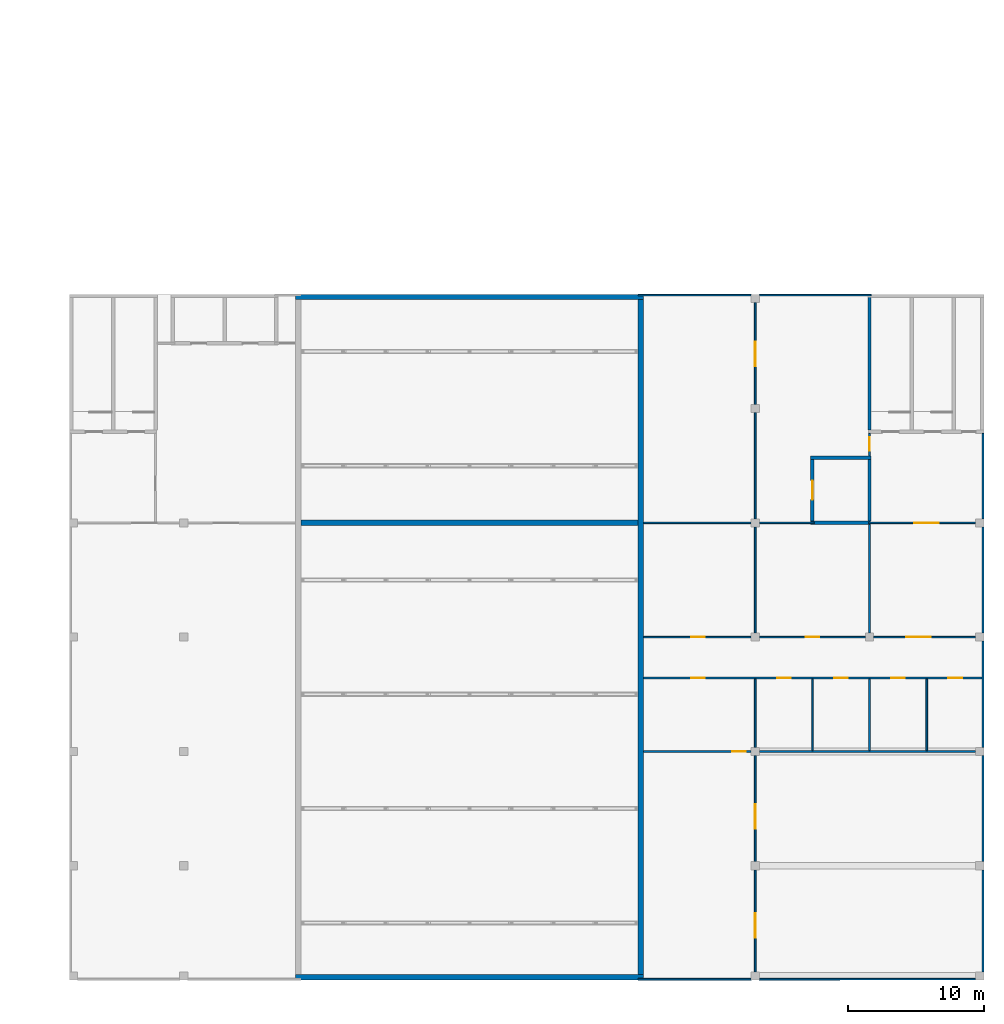
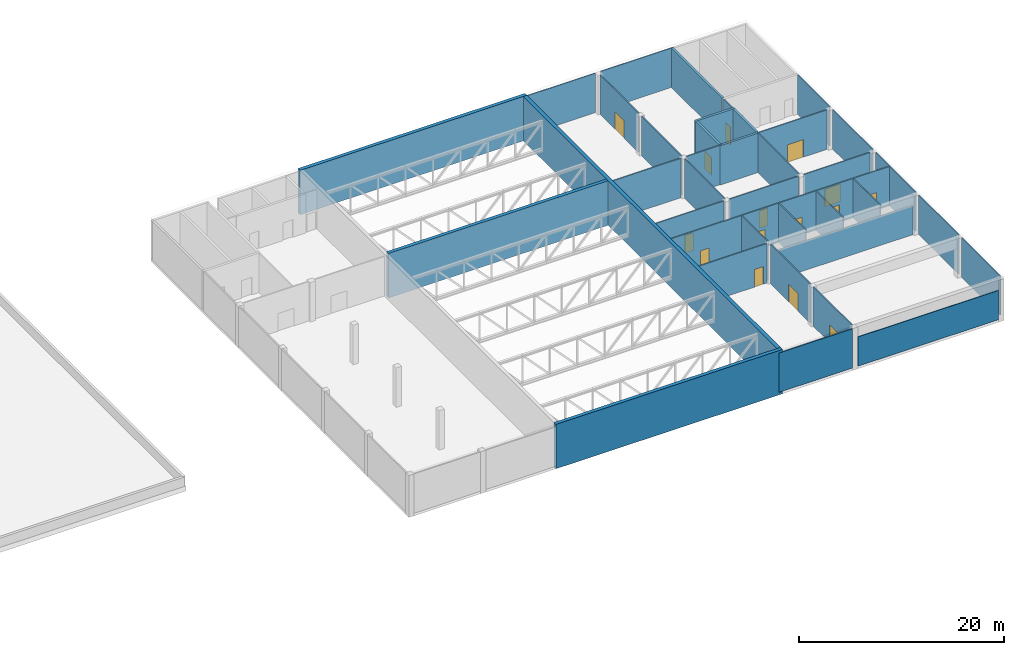
# One storey, part 19 of 26: 38 walls, 15 doors, 15 openings.
"""IFC4 building model written with IfcOpenShell, lengths in metres."""

import ifcopenshell
import ifcopenshell.guid

model = None  # the IFC model being written
_history = None  # IfcOwnerHistory: only IFC2X3 demands one
_inside = {}  # id of a spatial element -> (the spatial element, [elements in it])
_under = {}  # id of a project, library or spatial element -> (it, [spatial elements below it])
_declared = {}  # id of a project -> (the project, [libraries it declares])
_typed = {}  # id of a type object -> (the type object, [elements of that type])
_made_of = {}  # id of a material, layer set ... -> (it, [elements and type objects made of it])


def new_model(schema):
    """Start an empty IFC model of exactly this schema.

    Asked for "IFC4X3", IfcOpenShell would pick the latest addendum, in which some entities
    have other attributes; the version numbers below select the first issue.
    IFC2X3 requires an IfcOwnerHistory on every rooted entity: one is made here for all.
    """
    global model, _history
    if schema == "IFC4X3":
        model = ifcopenshell.file(schema_version=(4, 3, 0, 0))
    else:
        model = ifcopenshell.file(schema=schema)
    _inside.clear()
    _under.clear()
    _declared.clear()
    _typed.clear()
    _made_of.clear()
    _history = None
    if model.schema == "IFC2X3":
        org = make("IfcOrganization", Name="unknown")
        user = make(
            "IfcPersonAndOrganization",
            ThePerson=make("IfcPerson", FamilyName="unknown"),
            TheOrganization=org,
        )
        app = make(
            "IfcApplication",
            ApplicationDeveloper=org,
            Version="unknown",
            ApplicationFullName="unknown",
            ApplicationIdentifier="unknown",
        )
        _history = make(
            "IfcOwnerHistory",
            OwningUser=user,
            OwningApplication=app,
            ChangeAction="ADDED",
            CreationDate=0,
        )
    return model


def make(cls, **values):
    """One entity of the class cls with the attributes given. An attribute that is None is left unset."""
    return model.create_entity(
        cls, **{name: value for name, value in values.items() if value is not None}
    )


def rooted(cls, **values):
    """An entity with a GlobalId (a new one), such as an element, a storey or a relation."""
    return make(cls, GlobalId=ifcopenshell.guid.new(), OwnerHistory=_history, **values)


def si_unit(unit_type, name, prefix=None):
    """IfcSIUnit, for example si_unit("LENGTHUNIT", "METRE", prefix="MILLI")."""
    return make("IfcSIUnit", UnitType=unit_type, Prefix=prefix, Name=name)


def assignment(units):
    """IfcUnitAssignment: the units of a project."""
    return None if units is None else make("IfcUnitAssignment", Units=units)


def point(xyz):
    """IfcCartesianPoint."""
    return None if xyz is None else make("IfcCartesianPoint", Coordinates=xyz)


def direction(xyz):
    """IfcDirection."""
    return None if xyz is None else make("IfcDirection", DirectionRatios=xyz)


def frame(location, z_axis=None, x_axis=None):
    """IfcAxis2Placement3D, a coordinate frame: its origin and axes. An axis left out is left unset."""
    return make(
        "IfcAxis2Placement3D",
        Location=point(location),
        Axis=direction(z_axis),
        RefDirection=direction(x_axis),
    )


def frame_2d(location, x_axis=None):
    """IfcAxis2Placement2D, a coordinate frame in the plane: its origin and x axis."""
    return make(
        "IfcAxis2Placement2D", Location=point(location), RefDirection=direction(x_axis)
    )


def origin():
    """The frame at (0, 0, 0) with its axes left unset."""
    return frame((0.0, 0.0, 0.0))


def place(relative_to, where):
    """IfcLocalPlacement: puts the frame where relative to a parent placement (None: the world)."""
    return make(
        "IfcLocalPlacement", PlacementRelTo=relative_to, RelativePlacement=where
    )


def context(
    kind, dimensions, precision=None, world=None, true_north=None, identifier=None
):
    """IfcGeometricRepresentationContext, for example the 3D "Model" context."""
    return make(
        "IfcGeometricRepresentationContext",
        ContextIdentifier=identifier,
        ContextType=kind,
        CoordinateSpaceDimension=dimensions,
        Precision=precision,
        WorldCoordinateSystem=world,
        TrueNorth=true_north,
    )


def subcontext(parent, identifier, kind, view, scale=None):
    """IfcGeometricRepresentationSubContext, for example "Body" below "Model"."""
    return make(
        "IfcGeometricRepresentationSubContext",
        ContextIdentifier=identifier,
        ContextType=kind,
        ParentContext=parent,
        TargetScale=scale,
        TargetView=view,
    )


def project(units=None, contexts=None):
    """IfcProject with its units and contexts."""
    return rooted(
        "IfcProject",
        Name="project",
        RepresentationContexts=contexts,
        UnitsInContext=assignment(units),
    )


def spatial(cls, under=None, at=None, **own):
    """A site, building, storey or space (cls), placed at a placement, below another one or the project."""
    s = rooted(cls, ObjectPlacement=at, **own)
    if under is not None:
        _under.setdefault(under.id(), (under, []))[1].append(s)
    return s


def profile(cls, at=None, kind="AREA", **sizes):
    """A parametric profile (cls). Its sizes go by their IFC names, for example OverallWidth=200.0."""
    return make(cls, ProfileType=kind, Position=at, **sizes)


def rectangle(**sizes):
    """IfcRectangleProfileDef."""
    return profile("IfcRectangleProfileDef", **sizes)


def extrude(swept, where, along, depth):
    """IfcExtrudedAreaSolid: the profile swept, set in the frame where, extruded along a direction by depth."""
    return make(
        "IfcExtrudedAreaSolid",
        SweptArea=swept,
        Position=where,
        ExtrudedDirection=direction(along),
        Depth=depth,
    )


def shape(context_of_items, identifier, shape_type, items):
    """IfcShapeRepresentation: the items that make up one representation, for example the "Body"."""
    return make(
        "IfcShapeRepresentation",
        ContextOfItems=context_of_items,
        RepresentationIdentifier=identifier,
        RepresentationType=shape_type,
        Items=items,
    )


def material(Name=None, Category=None):
    """IfcMaterial."""
    return make("IfcMaterial", Name=Name, Category=Category)


def layer(
    of_material, thickness, ventilated=None, Name=None, Category=None, Priority=None
):
    """IfcMaterialLayer: one layer of a wall or slab, of a material (None: an air gap)."""
    return make(
        "IfcMaterialLayer",
        Material=of_material,
        LayerThickness=thickness,
        IsVentilated=ventilated,
        Name=Name,
        Category=Category,
        Priority=Priority,
    )


def layer_set(layers, Name=None):
    """IfcMaterialLayerSet."""
    return make("IfcMaterialLayerSet", MaterialLayers=layers, LayerSetName=Name)


def made_of(thing, what):
    """Note that an element or type object is made of a material, layer set ...; save() writes the relation."""
    if what is not None:
        _made_of.setdefault(what.id(), (what, []))[1].append(thing)
    return thing


def type_object(cls, material=None, **own):
    """A type object (cls), such as IfcWallType, which elements share."""
    return made_of(rooted(cls, **own), material)


def element(
    cls,
    number,
    at=None,
    inside=None,
    cuts=None,
    type_object=None,
    material=None,
    context=None,
    identifier="Body",
    shape_type=None,
    held_by="IfcProductDefinitionShape",
    body=None,
    shapes=None,
    **own,
):
    """One element of the class cls, such as IfcWall. Its Tag is "e" and its number.

    at: its placement. inside: the storey or other place that contains it. cuts: it is an
    opening in that element (IfcRelVoidsElement). A single representation is given by context,
    identifier, shape_type and body (its items); several are given by shapes. held_by: the class
    of the entity that holds the representations. save() writes the other relations.
    """
    e = rooted(cls, Tag="e%d" % number, ObjectPlacement=at, **own)
    if body is not None:
        shapes = [shape(context, identifier, shape_type, body)]
    if shapes is not None:
        e.Representation = make(held_by, Representations=shapes)
    if inside is not None:
        _inside.setdefault(inside.id(), (inside, []))[1].append(e)
    if cuts is not None:
        rooted(
            "IfcRelVoidsElement", RelatingBuildingElement=cuts, RelatedOpeningElement=e
        )
    if type_object is not None:
        _typed.setdefault(type_object.id(), (type_object, []))[1].append(e)
    return made_of(e, material)


def fill(opening, filler):
    """IfcRelFillsElement: the door or window that sits in an opening."""
    return rooted(
        "IfcRelFillsElement",
        RelatingOpeningElement=opening,
        RelatedBuildingElement=filler,
    )


def aggregate(whole, parts):
    """IfcRelAggregates: a whole, such as a stair, and the parts it consists of."""
    return rooted("IfcRelAggregates", RelatingObject=whole, RelatedObjects=parts)


def save(model, path):
    """Write the relations noted so far, then the file.

    IfcRelAggregates (storeys below a building ...), IfcRelContainedInSpatialStructure (elements
    in a storey), IfcRelDefinesByType, IfcRelAssociatesMaterial and IfcRelDeclares: one each for
    every whole, place, type object, material and project.
    """
    for whole, parts in _under.values():
        aggregate(whole, parts)
    for where, things in _inside.values():
        rooted(
            "IfcRelContainedInSpatialStructure",
            RelatedElements=things,
            RelatingStructure=where,
        )
    for kind, things in _typed.values():
        rooted("IfcRelDefinesByType", RelatedObjects=things, RelatingType=kind)
    for what, things in _made_of.values():
        rooted("IfcRelAssociatesMaterial", RelatedObjects=things, RelatingMaterial=what)
    for by, libraries in _declared.values():
        rooted("IfcRelDeclares", RelatingContext=by, RelatedDefinitions=libraries)
    model.write(path)


model = new_model("IFC4")

# Units and contexts
model_context = context("Model", 3, precision=1e-05, world=origin(), true_north=direction((0.0, 1.0)))
body_context = subcontext(model_context, "Body", "Model", "MODEL_VIEW")
ifc_project = project(units=[si_unit("LENGTHUNIT", "METRE"), si_unit("AREAUNIT", "SQUARE_METRE"), si_unit("VOLUMEUNIT", "CUBIC_METRE"), si_unit("PLANEANGLEUNIT", "RADIAN"), si_unit("MASSUNIT", "GRAM", prefix="KILO")], contexts=[model_context])

# Site, building, storey
site_placement = place(None, origin())
site = spatial("IfcSite", under=ifc_project, at=site_placement, CompositionType="ELEMENT")
building_placement = place(site_placement, origin())
building = spatial("IfcBuilding", under=site, at=building_placement, Name="Candeia Pilgrim Tower and Theatre", CompositionType="ELEMENT")
storey_placement = place(building_placement, frame((0.0, 0.0, 34.0)))
storey = spatial("IfcBuildingStorey", under=building, at=storey_placement, Name="L05", CompositionType="ELEMENT", Elevation=34.0)

# Walls
ifc_material_1 = material(Name="Gypsum board on steel studs", Category="steel")
ifc_layer_1 = layer(ifc_material_1, 0.125)
ifc_layer_set_1 = layer_set([ifc_layer_1], Name="Partition 125")
wall_type_1 = type_object("IfcWallType", Name="Partition 125", PredefinedType="PARTITIONING", material=ifc_layer_set_1)
wall_1_placement = place(storey_placement, frame((217.800048828125, 66.0625, 0.0), z_axis=(0.0, 0.0, 1.0), x_axis=(1.0, 0.0, 0.0)))
element("IfcWall", 1, at=wall_1_placement, inside=storey, type_object=wall_type_1, Name="T-L05-W003", PredefinedType="PARTITIONING", context=body_context, shape_type="SweptSolid", body=[
    extrude(rectangle(XDim=8.300048828125, YDim=0.125, at=frame_2d((4.14990234375, 0.0))), origin(), (0.0, 0.0, 1.0), 4.699951171875),
])
wall_2_placement = place(storey_placement, frame((226.699951171875, 66.0625, 0.0), z_axis=(0.0, 0.0, 1.0), x_axis=(1.0, 0.0, 0.0)))
element("IfcWall", 2, at=wall_2_placement, inside=storey, type_object=wall_type_1, Name="T-L05-W004", PredefinedType="PARTITIONING", context=body_context, shape_type="SweptSolid", body=[
    extrude(rectangle(XDim=15.900146484375, YDim=0.125, at=frame_2d((7.9501953125, 0.0))), origin(), (0.0, 0.0, 1.0), 3.5),
])

# Wall, opening, door
wall_3_placement = place(storey_placement, frame((218.199951171875, 82.800048828125, 0.0), z_axis=(0.0, 0.0, 1.0), x_axis=(1.0, 0.0, 0.0)))
wall_3 = element("IfcWall", 3, at=wall_3_placement, inside=storey, type_object=wall_type_1, Name="T-L05-W006", PredefinedType="PARTITIONING", context=body_context, shape_type="SweptSolid", body=[
    extrude(rectangle(XDim=7.900146484375, YDim=0.125, at=frame_2d((3.9501953125, 0.0))), origin(), (0.0, 0.0, 1.0), 4.699951171875),
])
opening_1_placement = place(wall_3_placement, frame((6.5, 0.0, 0.0)))
opening_1 = element("IfcOpeningElement", 4, at=opening_1_placement, cuts=wall_3, Name="Opening TD-L05-016", PredefinedType="OPENING", context=body_context, shape_type="SweptSolid", body=[
    extrude(rectangle(XDim=1.0, YDim=2.10009765625, at=frame_2d((0.5, 1.050048828125))), frame((0.0, 0.072509765625, 0.0), z_axis=(0.0, -1.0, 0.0), x_axis=(1.0, 0.0, 0.0)), (0.0, 0.0, 1.0), 0.14501953125),
])
ifc_material_2 = material(Name="Timber door leaf", Category="wood")
door_type_1 = type_object("IfcDoorType", Name="Door single 1000x2100", OperationType="NOTDEFINED", PredefinedType="DOOR", material=ifc_material_2)
door_1_placement = place(opening_1_placement, origin())
door_1 = element("IfcDoor", 5, at=door_1_placement, inside=storey, type_object=door_type_1, Name="Door TD-L05-016", OperationType="SINGLE_SWING_RIGHT", OverallHeight=2.10009765625, OverallWidth=1.0, PredefinedType="DOOR", context=body_context, shape_type="SweptSolid", body=[
    extrude(rectangle(XDim=1.0, YDim=2.10009765625, at=frame_2d((0.5, 1.050048828125))), frame((0.0, 0.02490234375, 0.0), z_axis=(0.0, -1.0, 0.0), x_axis=(1.0, 0.0, 0.0)), (0.0, 0.0, 1.0), 0.050048828125),
])
fill(opening_1, door_1)

# Wall
wall_4_placement = place(storey_placement, frame((226.699951171875, 82.800048828125, 0.0), z_axis=(0.0, 0.0, 1.0), x_axis=(1.0, 0.0, 0.0)))
element("IfcWall", 6, at=wall_4_placement, inside=storey, type_object=wall_type_1, Name="T-L05-W007", PredefinedType="PARTITIONING", context=body_context, shape_type="SweptSolid", body=[
    extrude(rectangle(XDim=15.900146484375, YDim=0.125, at=frame_2d((7.9501953125, 0.0))), origin(), (0.0, 0.0, 1.0), 3.5),
])

# Wall, openings, doors
wall_5_placement = place(storey_placement, frame((218.199951171875, 88.199951171875, 0.0), z_axis=(0.0, 0.0, 1.0), x_axis=(1.0, 0.0, 0.0)))
wall_5 = element("IfcWall", 7, at=wall_5_placement, inside=storey, type_object=wall_type_1, Name="T-L05-W008", PredefinedType="PARTITIONING", context=body_context, shape_type="SweptSolid", body=[
    extrude(rectangle(XDim=24.875, YDim=0.125, at=frame_2d((12.4375, 0.0))), origin(), (0.0, 0.0, 1.0), 4.699951171875),
])
opening_2_placement = place(wall_5_placement, frame((3.5, 0.0, 0.0)))
opening_2 = element("IfcOpeningElement", 8, at=opening_2_placement, cuts=wall_5, Name="Opening TD-L05-017", PredefinedType="OPENING", context=body_context, shape_type="SweptSolid", body=[
    extrude(rectangle(XDim=1.0, YDim=2.10009765625, at=frame_2d((0.5, 1.050048828125))), frame((0.0, 0.072509765625, 0.0), z_axis=(0.0, -1.0, 0.0), x_axis=(1.0, 0.0, 0.0)), (0.0, 0.0, 1.0), 0.14501953125),
])
opening_3_placement = place(wall_5_placement, frame((9.800048828125, 0.0, 0.0)))
opening_3 = element("IfcOpeningElement", 9, at=opening_3_placement, cuts=wall_5, Name="Opening TD-L05-018", PredefinedType="OPENING", context=body_context, shape_type="SweptSolid", body=[
    extrude(rectangle(XDim=1.0, YDim=2.10009765625, at=frame_2d((0.5, 1.050048828125))), frame((0.0, 0.072509765625, 0.0), z_axis=(0.0, -1.0, 0.0), x_axis=(1.0, 0.0, 0.0)), (0.0, 0.0, 1.0), 0.14501953125),
])
opening_4_placement = place(wall_5_placement, frame((14.0, 0.0, 0.0)))
opening_4 = element("IfcOpeningElement", 10, at=opening_4_placement, cuts=wall_5, Name="Opening TD-L05-019", PredefinedType="OPENING", context=body_context, shape_type="SweptSolid", body=[
    extrude(rectangle(XDim=1.0, YDim=2.10009765625, at=frame_2d((0.5, 1.050048828125))), frame((0.0, 0.072509765625, 0.0), z_axis=(0.0, -1.0, 0.0), x_axis=(1.0, 0.0, 0.0)), (0.0, 0.0, 1.0), 0.14501953125),
])
opening_5_placement = place(wall_5_placement, frame((18.199951171875, 0.0, 0.0)))
opening_5 = element("IfcOpeningElement", 11, at=opening_5_placement, cuts=wall_5, Name="Opening TD-L05-020", PredefinedType="OPENING", context=body_context, shape_type="SweptSolid", body=[
    extrude(rectangle(XDim=1.0, YDim=2.10009765625, at=frame_2d((0.5, 1.050048828125))), frame((0.0, 0.072509765625, 0.0), z_axis=(0.0, -1.0, 0.0), x_axis=(1.0, 0.0, 0.0)), (0.0, 0.0, 1.0), 0.14501953125),
])
opening_6_placement = place(wall_5_placement, frame((22.39990234375, 0.0, 0.0)))
opening_6 = element("IfcOpeningElement", 12, at=opening_6_placement, cuts=wall_5, Name="Opening TD-L05-021", PredefinedType="OPENING", context=body_context, shape_type="SweptSolid", body=[
    extrude(rectangle(XDim=1.0, YDim=2.10009765625, at=frame_2d((0.5, 1.050048828125))), frame((0.0, 0.072509765625, 0.0), z_axis=(0.0, -1.0, 0.0), x_axis=(1.0, 0.0, 0.0)), (0.0, 0.0, 1.0), 0.14501953125),
])
door_2_placement = place(opening_2_placement, origin())
door_2 = element("IfcDoor", 13, at=door_2_placement, inside=storey, type_object=door_type_1, Name="Door TD-L05-017", OperationType="SINGLE_SWING_LEFT", OverallHeight=2.10009765625, OverallWidth=1.0, PredefinedType="DOOR", context=body_context, shape_type="SweptSolid", body=[
    extrude(rectangle(XDim=1.0, YDim=2.10009765625, at=frame_2d((0.5, 1.050048828125))), frame((0.0, 0.02490234375, 0.0), z_axis=(0.0, -1.0, 0.0), x_axis=(1.0, 0.0, 0.0)), (0.0, 0.0, 1.0), 0.050048828125),
])
fill(opening_2, door_2)
door_3_placement = place(opening_3_placement, origin())
door_3 = element("IfcDoor", 14, at=door_3_placement, inside=storey, type_object=door_type_1, Name="Door TD-L05-018", OperationType="SINGLE_SWING_RIGHT", OverallHeight=2.10009765625, OverallWidth=1.0, PredefinedType="DOOR", context=body_context, shape_type="SweptSolid", body=[
    extrude(rectangle(XDim=1.0, YDim=2.10009765625, at=frame_2d((0.5, 1.050048828125))), frame((0.0, 0.02490234375, 0.0), z_axis=(0.0, -1.0, 0.0), x_axis=(1.0, 0.0, 0.0)), (0.0, 0.0, 1.0), 0.050048828125),
])
fill(opening_3, door_3)
door_4_placement = place(opening_4_placement, origin())
door_4 = element("IfcDoor", 15, at=door_4_placement, inside=storey, type_object=door_type_1, Name="Door TD-L05-019", OperationType="SINGLE_SWING_LEFT", OverallHeight=2.10009765625, OverallWidth=1.0, PredefinedType="DOOR", context=body_context, shape_type="SweptSolid", body=[
    extrude(rectangle(XDim=1.0, YDim=2.10009765625, at=frame_2d((0.5, 1.050048828125))), frame((0.0, 0.02490234375, 0.0), z_axis=(0.0, -1.0, 0.0), x_axis=(1.0, 0.0, 0.0)), (0.0, 0.0, 1.0), 0.050048828125),
])
fill(opening_4, door_4)
door_5_placement = place(opening_5_placement, origin())
door_5 = element("IfcDoor", 16, at=door_5_placement, inside=storey, type_object=door_type_1, Name="Door TD-L05-020", OperationType="SINGLE_SWING_RIGHT", OverallHeight=2.10009765625, OverallWidth=1.0, PredefinedType="DOOR", context=body_context, shape_type="SweptSolid", body=[
    extrude(rectangle(XDim=1.0, YDim=2.10009765625, at=frame_2d((0.5, 1.050048828125))), frame((0.0, 0.02490234375, 0.0), z_axis=(0.0, -1.0, 0.0), x_axis=(1.0, 0.0, 0.0)), (0.0, 0.0, 1.0), 0.050048828125),
])
fill(opening_5, door_5)
door_6_placement = place(opening_6_placement, origin())
door_6 = element("IfcDoor", 17, at=door_6_placement, inside=storey, type_object=door_type_1, Name="Door TD-L05-021", OperationType="SINGLE_SWING_LEFT", OverallHeight=2.10009765625, OverallWidth=1.0, PredefinedType="DOOR", context=body_context, shape_type="SweptSolid", body=[
    extrude(rectangle(XDim=1.0, YDim=2.10009765625, at=frame_2d((0.5, 1.050048828125))), frame((0.0, 0.02490234375, 0.0), z_axis=(0.0, -1.0, 0.0), x_axis=(1.0, 0.0, 0.0)), (0.0, 0.0, 1.0), 0.050048828125),
])
fill(opening_6, door_6)

# Wall, opening, door
wall_6_placement = place(storey_placement, frame((218.199951171875, 91.199951171875, 0.0), z_axis=(0.0, 0.0, 1.0), x_axis=(1.0, 0.0, 0.0)))
wall_6 = element("IfcWall", 18, at=wall_6_placement, inside=storey, type_object=wall_type_1, Name="T-L05-W009", PredefinedType="PARTITIONING", context=body_context, shape_type="SweptSolid", body=[
    extrude(rectangle(XDim=7.900146484375, YDim=0.125, at=frame_2d((3.9501953125, 0.0))), origin(), (0.0, 0.0, 1.0), 4.699951171875),
])
opening_7_placement = place(wall_6_placement, frame((3.5, 0.0, 0.0)))
opening_7 = element("IfcOpeningElement", 19, at=opening_7_placement, cuts=wall_6, Name="Opening TD-L05-022", PredefinedType="OPENING", context=body_context, shape_type="SweptSolid", body=[
    extrude(rectangle(XDim=1.0, YDim=2.10009765625, at=frame_2d((0.5, 1.050048828125))), frame((0.0, 0.072509765625, 0.0), z_axis=(0.0, -1.0, 0.0), x_axis=(1.0, 0.0, 0.0)), (0.0, 0.0, 1.0), 0.14501953125),
])
door_7_placement = place(opening_7_placement, origin())
door_7 = element("IfcDoor", 20, at=door_7_placement, inside=storey, type_object=door_type_1, Name="Door TD-L05-022", OperationType="SINGLE_SWING_RIGHT", OverallHeight=2.10009765625, OverallWidth=1.0, PredefinedType="DOOR", context=body_context, shape_type="SweptSolid", body=[
    extrude(rectangle(XDim=1.0, YDim=2.10009765625, at=frame_2d((0.5, 1.050048828125))), frame((0.0, 0.02490234375, 0.0), z_axis=(0.0, -1.0, 0.0), x_axis=(1.0, 0.0, 0.0)), (0.0, 0.0, 1.0), 0.050048828125),
])
fill(opening_7, door_7)

wall_7_placement = place(storey_placement, frame((226.699951171875, 91.199951171875, 0.0), z_axis=(0.0, 0.0, 1.0), x_axis=(1.0, 0.0, 0.0)))
wall_7 = element("IfcWall", 21, at=wall_7_placement, inside=storey, type_object=wall_type_1, Name="T-L05-W010", PredefinedType="PARTITIONING", context=body_context, shape_type="SweptSolid", body=[
    extrude(rectangle(XDim=7.800048828125, YDim=0.125, at=frame_2d((3.89990234375, 0.0))), origin(), (0.0, 0.0, 1.0), 4.699951171875),
])
opening_8_placement = place(wall_7_placement, frame((3.39990234375, 0.0, 0.0)))
opening_8 = element("IfcOpeningElement", 22, at=opening_8_placement, cuts=wall_7, Name="Opening TD-L05-023", PredefinedType="OPENING", context=body_context, shape_type="SweptSolid", body=[
    extrude(rectangle(XDim=1.0, YDim=2.10009765625, at=frame_2d((0.5, 1.050048828125))), frame((0.0, 0.072509765625, 0.0), z_axis=(0.0, -1.0, 0.0), x_axis=(1.0, 0.0, 0.0)), (0.0, 0.0, 1.0), 0.14501953125),
])
door_8_placement = place(opening_8_placement, origin())
door_8 = element("IfcDoor", 23, at=door_8_placement, inside=storey, type_object=door_type_1, Name="Door TD-L05-023", OperationType="SINGLE_SWING_LEFT", OverallHeight=2.10009765625, OverallWidth=1.0, PredefinedType="DOOR", context=body_context, shape_type="SweptSolid", body=[
    extrude(rectangle(XDim=1.0, YDim=2.10009765625, at=frame_2d((0.5, 1.050048828125))), frame((0.0, 0.02490234375, 0.0), z_axis=(0.0, -1.0, 0.0), x_axis=(1.0, 0.0, 0.0)), (0.0, 0.0, 1.0), 0.050048828125),
])
fill(opening_8, door_8)

wall_8_placement = place(storey_placement, frame((235.10009765625, 91.199951171875, 0.0), z_axis=(0.0, 0.0, 1.0), x_axis=(1.0, 0.0, 0.0)))
wall_8 = element("IfcWall", 24, at=wall_8_placement, inside=storey, type_object=wall_type_1, Name="T-L05-W011", PredefinedType="PARTITIONING", context=body_context, shape_type="SweptSolid", body=[
    extrude(rectangle(XDim=7.5, YDim=0.125, at=frame_2d((3.75, 0.0))), origin(), (0.0, 0.0, 1.0), 4.699951171875),
])
opening_9_placement = place(wall_8_placement, frame((2.39990234375, 0.0, 0.0)))
opening_9 = element("IfcOpeningElement", 25, at=opening_9_placement, cuts=wall_8, Name="Opening TD-L05-024", PredefinedType="OPENING", context=body_context, shape_type="SweptSolid", body=[
    extrude(rectangle(XDim=1.800048828125, YDim=2.10009765625, at=frame_2d((0.89990234375, 1.050048828125))), frame((0.0, 0.072509765625, 0.0), z_axis=(0.0, -1.0, 0.0), x_axis=(1.0, 0.0, 0.0)), (0.0, 0.0, 1.0), 0.14501953125),
])
door_type_2 = type_object("IfcDoorType", Name="Door double 1800x2100", OperationType="DOUBLE_DOOR_SINGLE_SWING", PredefinedType="DOOR", material=ifc_material_2)
door_9_placement = place(opening_9_placement, origin())
door_9 = element("IfcDoor", 26, at=door_9_placement, inside=storey, type_object=door_type_2, Name="Door TD-L05-024", OperationType="DOUBLE_DOOR_SINGLE_SWING", OverallHeight=2.10009765625, OverallWidth=1.800048828125, PredefinedType="DOOR", context=body_context, shape_type="SweptSolid", body=[
    extrude(rectangle(XDim=1.800048828125, YDim=2.10009765625, at=frame_2d((0.89990234375, 1.050048828125))), frame((0.0, 0.02490234375, 0.0), z_axis=(0.0, -1.0, 0.0), x_axis=(1.0, 0.0, 0.0)), (0.0, 0.0, 1.0), 0.050048828125),
])
fill(opening_9, door_9)

# Walls
wall_9_placement = place(storey_placement, frame((218.199951171875, 99.60009765625, 0.0), z_axis=(0.0, 0.0, 1.0), x_axis=(1.0, 0.0, 0.0)))
element("IfcWall", 27, at=wall_9_placement, inside=storey, type_object=wall_type_1, Name="T-L05-W015", PredefinedType="PARTITIONING", context=body_context, shape_type="SweptSolid", body=[
    extrude(rectangle(XDim=7.900146484375, YDim=0.125, at=frame_2d((3.9501953125, 0.0))), origin(), (0.0, 0.0, 1.0), 4.699951171875),
])
wall_10_placement = place(storey_placement, frame((226.699951171875, 99.60009765625, 0.0), z_axis=(0.0, 0.0, 1.0), x_axis=(1.0, 0.0, 0.0)))
element("IfcWall", 28, at=wall_10_placement, inside=storey, type_object=wall_type_1, Name="T-L05-W016", PredefinedType="PARTITIONING", context=body_context, shape_type="SweptSolid", body=[
    extrude(rectangle(XDim=4.025146484375, YDim=0.125, at=frame_2d((2.0126953125, 0.0))), origin(), (0.0, 0.0, 1.0), 4.699951171875),
])

# Wall, opening, door
wall_11_placement = place(storey_placement, frame((234.737548828125, 99.60009765625, 0.0), z_axis=(0.0, 0.0, 1.0), x_axis=(1.0, 0.0, 0.0)))
wall_11 = element("IfcWall", 29, at=wall_11_placement, inside=storey, type_object=wall_type_1, Name="T-L05-W018", PredefinedType="PARTITIONING", context=body_context, shape_type="SweptSolid", body=[
    extrude(rectangle(XDim=7.862548828125, YDim=0.125, at=frame_2d((3.93115234375, 0.0))), origin(), (0.0, 0.0, 1.0), 4.699951171875),
])
opening_10_placement = place(wall_11_placement, frame((3.362548828125, 0.0, 0.0)))
opening_10 = element("IfcOpeningElement", 30, at=opening_10_placement, cuts=wall_11, Name="Opening TD-L05-025", PredefinedType="OPENING", context=body_context, shape_type="SweptSolid", body=[
    extrude(rectangle(XDim=1.800048828125, YDim=2.10009765625, at=frame_2d((0.89990234375, 1.050048828125))), frame((0.0, 0.072509765625, 0.0), z_axis=(0.0, -1.0, 0.0), x_axis=(1.0, 0.0, 0.0)), (0.0, 0.0, 1.0), 0.14501953125),
])
door_10_placement = place(opening_10_placement, origin())
door_10 = element("IfcDoor", 31, at=door_10_placement, inside=storey, type_object=door_type_2, Name="Door TD-L05-025", OperationType="DOUBLE_DOOR_SINGLE_SWING", OverallHeight=2.10009765625, OverallWidth=1.800048828125, PredefinedType="DOOR", context=body_context, shape_type="SweptSolid", body=[
    extrude(rectangle(XDim=1.800048828125, YDim=2.10009765625, at=frame_2d((0.89990234375, 1.050048828125))), frame((0.0, 0.02490234375, 0.0), z_axis=(0.0, -1.0, 0.0), x_axis=(1.0, 0.0, 0.0)), (0.0, 0.0, 1.0), 0.050048828125),
])
fill(opening_10, door_10)

# Walls
wall_12_placement = place(storey_placement, frame((217.800048828125, 116.33740234375, 0.0), z_axis=(0.0, 0.0, 1.0), x_axis=(1.0, 0.0, 0.0)))
element("IfcWall", 32, at=wall_12_placement, inside=storey, type_object=wall_type_1, Name="T-L05-W030", PredefinedType="PARTITIONING", context=body_context, shape_type="SweptSolid", body=[
    extrude(rectangle(XDim=8.300048828125, YDim=0.125, at=frame_2d((4.14990234375, 0.0))), origin(), (0.0, 0.0, 1.0), 4.699951171875),
])
wall_13_placement = place(storey_placement, frame((226.699951171875, 116.33740234375, 0.0), z_axis=(0.0, 0.0, 1.0), x_axis=(1.0, 0.0, 0.0)))
element("IfcWall", 33, at=wall_13_placement, inside=storey, type_object=wall_type_1, Name="T-L05-W031", PredefinedType="PARTITIONING", context=body_context, shape_type="SweptSolid", body=[
    extrude(rectangle(XDim=8.22509765625, YDim=0.125, at=frame_2d((4.112548828125, 0.0))), origin(), (0.0, 0.0, 1.0), 4.699951171875),
])

# Wall, opening, door
wall_14_placement = place(storey_placement, frame((226.39990234375, 66.60009765625, 0.0), z_axis=(0.0, 0.0, 1.0), x_axis=(0.0, 1.0, 0.0)))
wall_14 = element("IfcWall", 34, at=wall_14_placement, inside=storey, type_object=wall_type_1, Name="T-L05-W046", PredefinedType="PARTITIONING", context=body_context, shape_type="SweptSolid", body=[
    extrude(rectangle(XDim=7.5, YDim=0.125, at=frame_2d((3.75, 0.0))), origin(), (0.0, 0.0, 1.0), 4.699951171875),
])
opening_11_placement = place(wall_14_placement, frame((2.5, 0.0, 0.0)))
opening_11 = element("IfcOpeningElement", 35, at=opening_11_placement, cuts=wall_14, Name="Opening TD-L05-014", PredefinedType="OPENING", context=body_context, shape_type="SweptSolid", body=[
    extrude(rectangle(XDim=1.800048828125, YDim=2.10009765625, at=frame_2d((0.89990234375, 1.050048828125))), frame((0.0, 0.072509765625, 0.0), z_axis=(0.0, -1.0, 0.0), x_axis=(1.0, 0.0, 0.0)), (0.0, 0.0, 1.0), 0.14501953125),
])
door_11_placement = place(opening_11_placement, origin())
door_11 = element("IfcDoor", 36, at=door_11_placement, inside=storey, type_object=door_type_2, Name="Door TD-L05-014", OperationType="DOUBLE_DOOR_SINGLE_SWING", OverallHeight=2.10009765625, OverallWidth=1.800048828125, PredefinedType="DOOR", context=body_context, shape_type="SweptSolid", body=[
    extrude(rectangle(XDim=1.800048828125, YDim=2.10009765625, at=frame_2d((0.89990234375, 1.050048828125))), frame((0.0, 0.02490234375, 0.0), z_axis=(0.0, -1.0, 0.0), x_axis=(1.0, 0.0, 0.0)), (0.0, 0.0, 1.0), 0.050048828125),
])
fill(opening_11, door_11)

wall_15_placement = place(storey_placement, frame((226.39990234375, 74.699951171875, 0.0), z_axis=(0.0, 0.0, 1.0), x_axis=(0.0, 1.0, 0.0)))
wall_15 = element("IfcWall", 37, at=wall_15_placement, inside=storey, type_object=wall_type_1, Name="T-L05-W047", PredefinedType="PARTITIONING", context=body_context, shape_type="SweptSolid", body=[
    extrude(rectangle(XDim=7.800048828125, YDim=0.125, at=frame_2d((3.89990234375, 0.0))), origin(), (0.0, 0.0, 1.0), 4.699951171875),
])
opening_12_placement = place(wall_15_placement, frame((2.39990234375, 0.0, 0.0)))
opening_12 = element("IfcOpeningElement", 38, at=opening_12_placement, cuts=wall_15, Name="Opening TD-L05-015", PredefinedType="OPENING", context=body_context, shape_type="SweptSolid", body=[
    extrude(rectangle(XDim=1.800048828125, YDim=2.10009765625, at=frame_2d((0.89990234375, 1.050048828125))), frame((0.0, 0.072509765625, 0.0), z_axis=(0.0, -1.0, 0.0), x_axis=(1.0, 0.0, 0.0)), (0.0, 0.0, 1.0), 0.14501953125),
])
door_12_placement = place(opening_12_placement, origin())
door_12 = element("IfcDoor", 39, at=door_12_placement, inside=storey, type_object=door_type_2, Name="Door TD-L05-015", OperationType="DOUBLE_DOOR_SINGLE_SWING", OverallHeight=2.10009765625, OverallWidth=1.800048828125, PredefinedType="DOOR", context=body_context, shape_type="SweptSolid", body=[
    extrude(rectangle(XDim=1.800048828125, YDim=2.10009765625, at=frame_2d((0.89990234375, 1.050048828125))), frame((0.0, 0.02490234375, 0.0), z_axis=(0.0, -1.0, 0.0), x_axis=(1.0, 0.0, 0.0)), (0.0, 0.0, 1.0), 0.050048828125),
])
fill(opening_12, door_12)

# Walls
wall_16_placement = place(storey_placement, frame((226.39990234375, 83.10009765625, 0.0), z_axis=(0.0, 0.0, 1.0), x_axis=(0.0, 1.0, 0.0)))
element("IfcWall", 40, at=wall_16_placement, inside=storey, type_object=wall_type_1, Name="T-L05-W048", PredefinedType="PARTITIONING", context=body_context, shape_type="SweptSolid", body=[
    extrude(rectangle(XDim=5.037353515625, YDim=0.125, at=frame_2d((2.5185546875, 0.0))), origin(), (0.0, 0.0, 1.0), 4.699951171875),
])
for number, where, z_axis, x_axis, name in (
    (41, (226.39990234375, 91.5, 0.0), (0.0, 0.0, 1.0), (0.0, 1.0, 0.0), "T-L05-W049"),
    (42, (226.39990234375, 99.89990234375, 0.0), (0.0, 0.0, 1.0), (0.0, 1.0, 0.0), "T-L05-W050"),
):
    element("IfcWall", number, at=place(storey_placement, frame(where, z_axis=z_axis, x_axis=x_axis)), inside=storey, type_object=wall_type_1, Name=name, PredefinedType="PARTITIONING", context=body_context, shape_type="SweptSolid", body=[
        extrude(rectangle(XDim=7.800048828125, YDim=0.125, at=frame_2d((3.89990234375, 0.0))), origin(), (0.0, 0.0, 1.0), 4.699951171875),
    ])

# Wall, opening, door
wall_17_placement = place(storey_placement, frame((226.39990234375, 108.300048828125, 0.0), z_axis=(0.0, 0.0, 1.0), x_axis=(0.0, 1.0, 0.0)))
wall_17 = element("IfcWall", 43, at=wall_17_placement, inside=storey, type_object=wall_type_1, Name="T-L05-W051", PredefinedType="PARTITIONING", context=body_context, shape_type="SweptSolid", body=[
    extrude(rectangle(XDim=7.5, YDim=0.125, at=frame_2d((3.75, 0.0))), origin(), (0.0, 0.0, 1.0), 4.699951171875),
])
opening_13_placement = place(wall_17_placement, frame((2.800048828125, 0.0, 0.0)))
opening_13 = element("IfcOpeningElement", 44, at=opening_13_placement, cuts=wall_17, Name="Opening TD-L05-026", PredefinedType="OPENING", context=body_context, shape_type="SweptSolid", body=[
    extrude(rectangle(XDim=1.800048828125, YDim=2.10009765625, at=frame_2d((0.89990234375, 1.050048828125))), frame((0.0, 0.072509765625, 0.0), z_axis=(0.0, -1.0, 0.0), x_axis=(1.0, 0.0, 0.0)), (0.0, 0.0, 1.0), 0.14501953125),
])
door_13_placement = place(opening_13_placement, origin())
door_13 = element("IfcDoor", 45, at=door_13_placement, inside=storey, type_object=door_type_2, Name="Door TD-L05-026", OperationType="DOUBLE_DOOR_SINGLE_SWING", OverallHeight=2.10009765625, OverallWidth=1.800048828125, PredefinedType="DOOR", context=body_context, shape_type="SweptSolid", body=[
    extrude(rectangle(XDim=1.800048828125, YDim=2.10009765625, at=frame_2d((0.89990234375, 1.050048828125))), frame((0.0, 0.02490234375, 0.0), z_axis=(0.0, -1.0, 0.0), x_axis=(1.0, 0.0, 0.0)), (0.0, 0.0, 1.0), 0.050048828125),
])
fill(opening_13, door_13)

# Walls
for number, where, z_axis, x_axis, name in (
    (46, (230.60009765625, 82.862548828125, 0.0), (0.0, 0.0, 1.0), (0.0, 1.0, 0.0), "T-L05-W052"),
    (47, (234.800048828125, 82.862548828125, 0.0), (0.0, 0.0, 1.0), (0.0, 1.0, 0.0), "T-L05-W054"),
):
    element("IfcWall", number, at=place(storey_placement, frame(where, z_axis=z_axis, x_axis=x_axis)), inside=storey, type_object=wall_type_1, Name=name, PredefinedType="PARTITIONING", context=body_context, shape_type="SweptSolid", body=[
        extrude(rectangle(XDim=5.27490234375, YDim=0.125, at=frame_2d((2.637451171875, 0.0))), origin(), (0.0, 0.0, 1.0), 4.699951171875),
    ])
wall_18_placement = place(storey_placement, frame((234.800048828125, 91.5, 0.0), z_axis=(0.0, 0.0, 1.0), x_axis=(0.0, 1.0, 0.0)))
element("IfcWall", 48, at=wall_18_placement, inside=storey, type_object=wall_type_1, Name="T-L05-W055", PredefinedType="PARTITIONING", context=body_context, shape_type="SweptSolid", body=[
    extrude(rectangle(XDim=7.97509765625, YDim=0.125, at=frame_2d((3.987548828125, 0.0))), origin(), (0.0, 0.0, 1.0), 4.699951171875),
])

# Wall, opening, door
wall_19_placement = place(storey_placement, frame((234.800048828125, 104.52490234375, 0.0), z_axis=(0.0, 0.0, 1.0), x_axis=(0.0, 1.0, 0.0)))
wall_19 = element("IfcWall", 49, at=wall_19_placement, inside=storey, type_object=wall_type_1, Name="T-L05-W057", PredefinedType="PARTITIONING", context=body_context, shape_type="SweptSolid", body=[
    extrude(rectangle(XDim=1.650146484375, YDim=0.125, at=frame_2d((0.8251953125, 0.0))), origin(), (0.0, 0.0, 1.0), 4.699951171875),
])
opening_14_placement = place(wall_19_placement, frame((0.375, 0.0, 0.0)))
opening_14 = element("IfcOpeningElement", 50, at=opening_14_placement, cuts=wall_19, Name="Opening TD-L05-010", PredefinedType="OPENING", context=body_context, shape_type="SweptSolid", body=[
    extrude(rectangle(XDim=1.0, YDim=2.10009765625, at=frame_2d((0.5, 1.050048828125))), frame((0.0, 0.072509765625, 0.0), z_axis=(0.0, -1.0, 0.0), x_axis=(1.0, 0.0, 0.0)), (0.0, 0.0, 1.0), 0.14501953125),
])
ifc_material_3 = material(Name="Steel fire door leaf", Category="steel")
door_type_3 = type_object("IfcDoorType", Name="Door fire single 1000x2100", OperationType="NOTDEFINED", PredefinedType="DOOR", material=ifc_material_3)
door_14_placement = place(opening_14_placement, origin())
door_14 = element("IfcDoor", 51, at=door_14_placement, inside=storey, type_object=door_type_3, Name="Door TD-L05-010", OperationType="SINGLE_SWING_RIGHT", OverallHeight=2.10009765625, OverallWidth=1.0, PredefinedType="DOOR", context=body_context, shape_type="SweptSolid", body=[
    extrude(rectangle(XDim=1.0, YDim=2.10009765625, at=frame_2d((0.5, 1.050048828125))), frame((0.0, 0.02490234375, 0.0), z_axis=(0.0, -1.0, 0.0), x_axis=(1.0, 0.0, 0.0)), (0.0, 0.0, 1.0), 0.050048828125),
])
fill(opening_14, door_14)

# Walls
wall_20_placement = place(storey_placement, frame((239.0, 82.862548828125, 0.0), z_axis=(0.0, 0.0, 1.0), x_axis=(0.0, 1.0, 0.0)))
element("IfcWall", 52, at=wall_20_placement, inside=storey, type_object=wall_type_1, Name="T-L05-W060", PredefinedType="PARTITIONING", context=body_context, shape_type="SweptSolid", body=[
    extrude(rectangle(XDim=5.27490234375, YDim=0.125, at=frame_2d((2.637451171875, 0.0))), origin(), (0.0, 0.0, 1.0), 4.699951171875),
])
wall_21_placement = place(storey_placement, frame((243.137451171875, 66.60009765625, 0.0), z_axis=(0.0, 0.0, 1.0), x_axis=(0.0, 1.0, 0.0)))
element("IfcWall", 53, at=wall_21_placement, inside=storey, type_object=wall_type_1, Name="T-L05-W063", PredefinedType="PARTITIONING", context=body_context, shape_type="SweptSolid", body=[
    extrude(rectangle(XDim=7.5, YDim=0.125, at=frame_2d((3.75, 0.0))), origin(), (0.0, 0.0, 1.0), 4.699951171875),
])
wall_22_placement = place(storey_placement, frame((243.137451171875, 74.699951171875, 0.0), z_axis=(0.0, 0.0, 1.0), x_axis=(0.0, 1.0, 0.0)))
element("IfcWall", 54, at=wall_22_placement, inside=storey, type_object=wall_type_1, Name="T-L05-W064", PredefinedType="PARTITIONING", context=body_context, shape_type="SweptSolid", body=[
    extrude(rectangle(XDim=7.800048828125, YDim=0.125, at=frame_2d((3.89990234375, 0.0))), origin(), (0.0, 0.0, 1.0), 4.699951171875),
])
wall_23_placement = place(storey_placement, frame((243.137451171875, 83.10009765625, 0.0), z_axis=(0.0, 0.0, 1.0), x_axis=(0.0, 1.0, 0.0)))
element("IfcWall", 55, at=wall_23_placement, inside=storey, type_object=wall_type_1, Name="T-L05-W065", PredefinedType="PARTITIONING", context=body_context, shape_type="SweptSolid", body=[
    extrude(rectangle(XDim=7.7998046875, YDim=0.125, at=frame_2d((3.89990234375, 0.0))), origin(), (0.0, 0.0, 1.0), 4.699951171875),
])
wall_24_placement = place(storey_placement, frame((243.137451171875, 91.5, 0.0), z_axis=(0.0, 0.0, 1.0), x_axis=(0.0, 1.0, 0.0)))
element("IfcWall", 56, at=wall_24_placement, inside=storey, type_object=wall_type_1, Name="T-L05-W066", PredefinedType="PARTITIONING", context=body_context, shape_type="SweptSolid", body=[
    extrude(rectangle(XDim=7.800048828125, YDim=0.125, at=frame_2d((3.89990234375, 0.0))), origin(), (0.0, 0.0, 1.0), 4.699951171875),
])
wall_25_placement = place(storey_placement, frame((243.137451171875, 99.89990234375, 0.0), z_axis=(0.0, 0.0, 1.0), x_axis=(0.0, 1.0, 0.0)))
element("IfcWall", 57, at=wall_25_placement, inside=storey, type_object=wall_type_1, Name="T-L05-W067", PredefinedType="PARTITIONING", context=body_context, shape_type="SweptSolid", body=[
    extrude(rectangle(XDim=6.275146484375, YDim=0.125, at=frame_2d((3.1376953125, 0.0))), origin(), (0.0, 0.0, 1.0), 4.699951171875),
])
ifc_material_4 = material(Name="Concrete C35/45", Category="concrete")
ifc_layer_2 = layer(ifc_material_4, 0.25)
ifc_layer_set_2 = layer_set([ifc_layer_2], Name="RC wall 250 C35/45")
wall_type_2 = type_object("IfcWallType", Name="RC wall 250 C35/45", PredefinedType="SOLIDWALL", material=ifc_layer_set_2)
wall_26_placement = place(storey_placement, frame((230.47509765625, 99.60009765625, 0.0), z_axis=(0.0, 0.0, 1.0), x_axis=(1.0, 0.0, 0.0)))
element("IfcWall", 58, at=wall_26_placement, inside=storey, type_object=wall_type_2, Name="T-L05-W017", PredefinedType="SOLIDWALL", context=body_context, shape_type="SweptSolid", body=[
    extrude(rectangle(XDim=4.387451171875, YDim=0.25, at=frame_2d((2.19384765625, 0.0))), origin(), (0.0, 0.0, 1.0), 4.699951171875),
])
wall_27_placement = place(storey_placement, frame((230.47509765625, 104.39990234375, 0.0), z_axis=(0.0, 0.0, 1.0), x_axis=(1.0, 0.0, 0.0)))
element("IfcWall", 59, at=wall_27_placement, inside=storey, type_object=wall_type_2, Name="T-L05-W019", PredefinedType="SOLIDWALL", context=body_context, shape_type="SweptSolid", body=[
    extrude(rectangle(XDim=4.449951171875, YDim=0.25, at=frame_2d((2.22509765625, 0.0))), origin(), (0.0, 0.0, 1.0), 4.699951171875),
])

# Wall, opening, door
wall_28_placement = place(storey_placement, frame((230.60009765625, 99.66259765625, 0.0), z_axis=(0.0, 0.0, 1.0), x_axis=(0.0, 1.0, 0.0)))
wall_28 = element("IfcWall", 60, at=wall_28_placement, inside=storey, type_object=wall_type_2, Name="T-L05-W053", PredefinedType="SOLIDWALL", context=body_context, shape_type="SweptSolid", body=[
    extrude(rectangle(XDim=4.6123046875, YDim=0.25, at=frame_2d((2.30615234375, 0.0))), origin(), (0.0, 0.0, 1.0), 4.699951171875),
])
opening_15_placement = place(wall_28_placement, frame((1.637451171875, 0.0, 0.0)))
opening_15 = element("IfcOpeningElement", 61, at=opening_15_placement, cuts=wall_28, Name="Opening TD-L05-011", PredefinedType="OPENING", context=body_context, shape_type="SweptSolid", body=[
    extrude(rectangle(XDim=1.39990234375, YDim=2.10009765625, at=frame_2d((0.699951171875, 1.050048828125))), frame((0.0, 0.135009765625, 0.0), z_axis=(0.0, -1.0, 0.0), x_axis=(1.0, 0.0, 0.0)), (0.0, 0.0, 1.0), 0.27001953125),
])
ifc_material_5 = material(Name="Stainless steel landing door", Category="steel")
door_type_4 = type_object("IfcDoorType", Name="Door goods lift landing 1400x2100", OperationType="DOUBLE_DOOR_SLIDING", PredefinedType="DOOR", material=ifc_material_5)
door_15_placement = place(opening_15_placement, origin())
door_15 = element("IfcDoor", 62, at=door_15_placement, inside=storey, type_object=door_type_4, Name="Door TD-L05-011", OperationType="DOUBLE_DOOR_SLIDING", OverallHeight=2.10009765625, OverallWidth=1.39990234375, PredefinedType="DOOR", context=body_context, shape_type="SweptSolid", body=[
    extrude(rectangle(XDim=1.39990234375, YDim=2.10009765625, at=frame_2d((0.699951171875, 1.050048828125))), frame((0.0, 0.02490234375, 0.0), z_axis=(0.0, -1.0, 0.0), x_axis=(1.0, 0.0, 0.0)), (0.0, 0.0, 1.0), 0.050048828125),
])
fill(opening_15, door_15)

# Walls
wall_29_placement = place(storey_placement, frame((234.800048828125, 99.72509765625, 0.0), z_axis=(0.0, 0.0, 1.0), x_axis=(0.0, 1.0, 0.0)))
element("IfcWall", 63, at=wall_29_placement, inside=storey, type_object=wall_type_2, Name="T-L05-W056", PredefinedType="SOLIDWALL", context=body_context, shape_type="SweptSolid", body=[
    extrude(rectangle(XDim=4.5498046875, YDim=0.25, at=frame_2d((2.27490234375, 0.0))), origin(), (0.0, 0.0, 1.0), 4.699951171875),
])
wall_30_placement = place(storey_placement, frame((234.800048828125, 106.425048828125, 0.0), z_axis=(0.0, 0.0, 1.0), x_axis=(0.0, 1.0, 0.0)))
element("IfcWall", 64, at=wall_30_placement, inside=storey, type_object=wall_type_2, Name="T-L05-W058", PredefinedType="SOLIDWALL", context=body_context, shape_type="SweptSolid", body=[
    extrude(rectangle(XDim=9.849853515625, YDim=0.25, at=frame_2d((4.9248046875, 0.0))), origin(), (0.0, 0.0, 1.0), 4.699951171875),
])
ifc_material_6 = material(Name="Concrete C40/50", Category="concrete")
ifc_layer_3 = layer(ifc_material_6, 0.39990234375)
ifc_layer_set_3 = layer_set([ifc_layer_3], Name="RC wall 400 house C40/50")
wall_type_3 = type_object("IfcWallType", Name="RC wall 400 house C40/50", PredefinedType="SOLIDWALL", material=ifc_layer_set_3)
wall_31_placement = place(storey_placement, frame((192.60009765625, 66.199951171875, -0.300048828125), z_axis=(0.0, 0.0, 1.0), x_axis=(1.0, 0.0, 0.0)))
element("IfcWall", 65, at=wall_31_placement, inside=storey, type_object=wall_type_3, Name="T-L05-W005", PredefinedType="SOLIDWALL", context=body_context, shape_type="SweptSolid", body=[
    extrude(rectangle(XDim=25.599853515625, YDim=0.39990234375, at=frame_2d((12.7998046875, 0.0))), origin(), (0.0, 0.0, 1.0), 5.300048828125),
])
wall_32_placement = place(storey_placement, frame((193.0, 99.60009765625, -0.300048828125), z_axis=(0.0, 0.0, 1.0), x_axis=(1.0, 0.0, 0.0)))
element("IfcWall", 66, at=wall_32_placement, inside=storey, type_object=wall_type_3, Name="T-L05-W014", PredefinedType="SOLIDWALL", context=body_context, shape_type="SweptSolid", body=[
    extrude(rectangle(XDim=24.800048828125, YDim=0.39990234375, at=frame_2d((12.39990234375, 0.0))), origin(), (0.0, 0.0, 1.0), 5.300048828125),
])
wall_33_placement = place(storey_placement, frame((192.60009765625, 116.199951171875, -0.300048828125), z_axis=(0.0, 0.0, 1.0), x_axis=(1.0, 0.0, 0.0)))
element("IfcWall", 67, at=wall_33_placement, inside=storey, type_object=wall_type_3, Name="T-L05-W025", PredefinedType="SOLIDWALL", context=body_context, shape_type="SweptSolid", body=[
    extrude(rectangle(XDim=25.599853515625, YDim=0.39990234375, at=frame_2d((12.7998046875, 0.0))), origin(), (0.0, 0.0, 1.0), 5.300048828125),
])
wall_34_placement = place(storey_placement, frame((218.0, 66.39990234375, -0.300048828125), z_axis=(0.0, 0.0, 1.0), x_axis=(0.0, 1.0, 0.0)))
element("IfcWall", 68, at=wall_34_placement, inside=storey, type_object=wall_type_3, Name="T-L05-W045", PredefinedType="SOLIDWALL", context=body_context, shape_type="SweptSolid", body=[
    extrude(rectangle(XDim=49.60009765625, YDim=0.39990234375, at=frame_2d((24.800048828125, 0.0))), origin(), (0.0, 0.0, 1.0), 5.300048828125),
])

save(model, "model.ifc")
